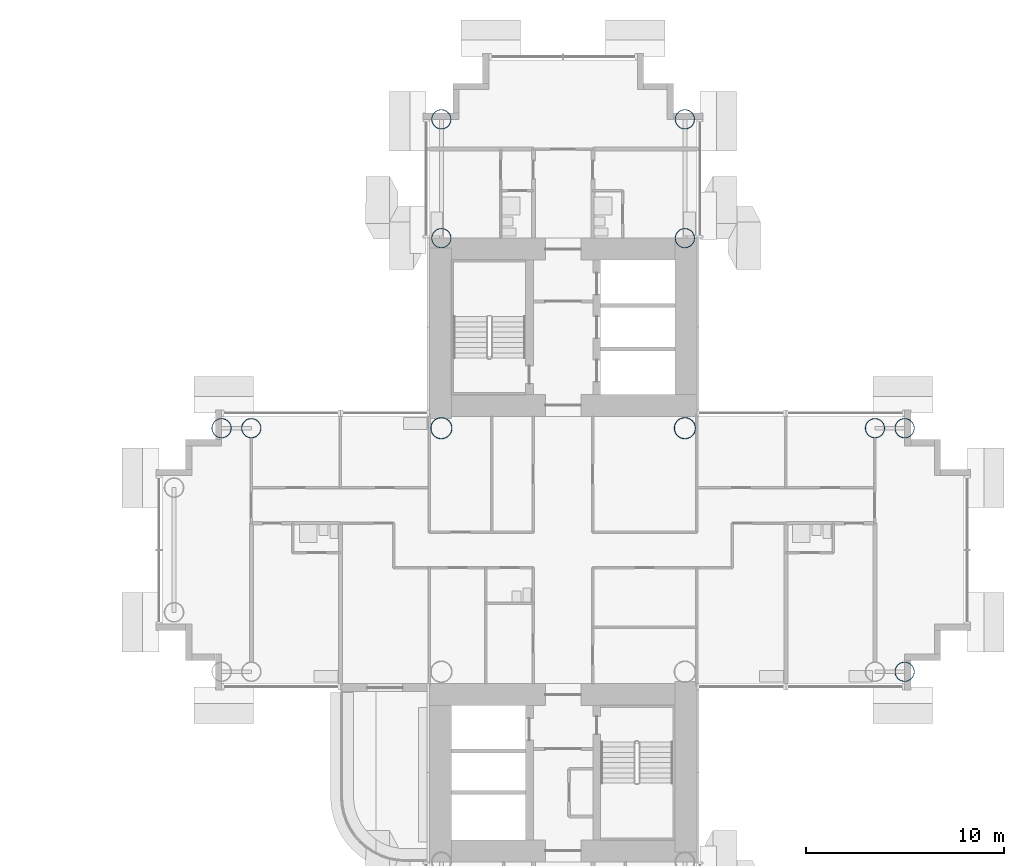
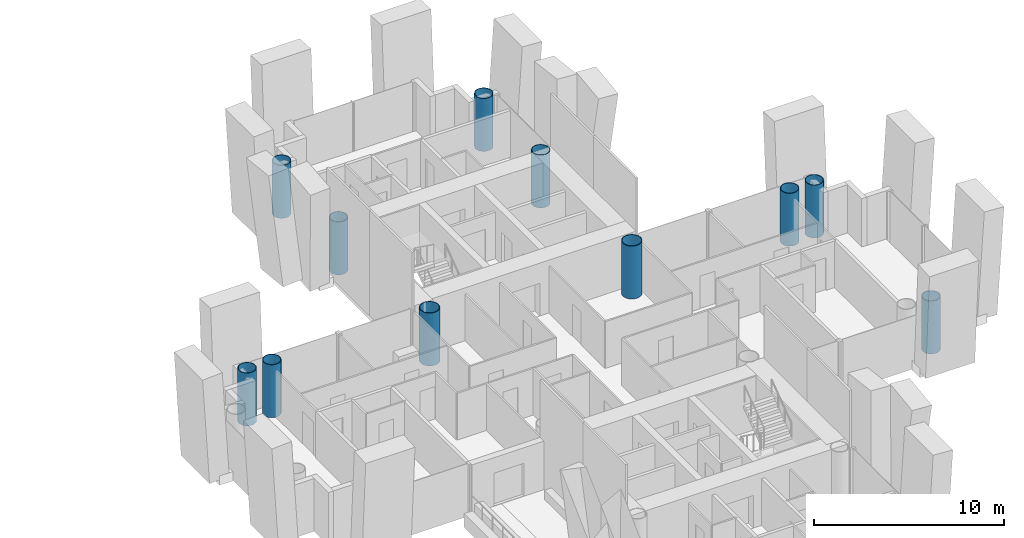
# One storey, part 2 of 23: 11 columns.
"""IFC4 building model written with IfcOpenShell, lengths in metres."""

from ifc_helpers import new_model, si_unit, direction, frame, origin, origin_2d, place, context, subcontext, project, spatial, hollow_circle, extrude, material, material_profile, profile_set, type_object, element, save


model = new_model("IFC4")

# Units and contexts
model_context = context("Model", 3, precision=1e-05, world=origin(), true_north=direction((0.0, 1.0)))
body_context = subcontext(model_context, "Body", "Model", "MODEL_VIEW")
ifc_project = project(units=[si_unit("LENGTHUNIT", "METRE"), si_unit("AREAUNIT", "SQUARE_METRE"), si_unit("VOLUMEUNIT", "CUBIC_METRE"), si_unit("PLANEANGLEUNIT", "RADIAN"), si_unit("MASSUNIT", "GRAM", prefix="KILO")], contexts=[model_context])

# Site, building, storey
site_placement = place(None, origin())
site = spatial("IfcSite", under=ifc_project, at=site_placement, CompositionType="ELEMENT")
building_placement = place(site_placement, origin())
building = spatial("IfcBuilding", under=site, at=building_placement, Name="Ipe Terrace Towers", CompositionType="ELEMENT")
storey_placement = place(building_placement, frame((0.0, 0.0, 51.699951171875)))
storey = spatial("IfcBuildingStorey", under=building, at=storey_placement, Name="L13", CompositionType="ELEMENT", Elevation=51.699951171875)

# Columns
ifc_material_1 = material(Name="Steel S355 tube with Concrete C60/75 fill", Category="concrete")
ifc_material_profile_1 = material_profile(ifc_material_1, hollow_circle(Radius=0.5, WallThickness=0.035888671875, at=origin_2d()), Name="CHS-1000x36")
ifc_profile_set_1 = profile_set([ifc_material_profile_1], Name="Steel S355 tube with Concrete C60/75 fill")
column_type_1 = type_object("IfcColumnType", Name="CH01 COLUMN CHS-1000x36", PredefinedType="COLUMN", material=ifc_profile_set_1)
for number, where, z_axis, x_axis, name in (
    (1, (42.14990234375, 15.75, 0.0), (0.0, 0.0, 1.0), (1.0, 0.0, 0.0), "Column T2-C-A01"),
    (2, (29.85009765625, 15.75, 0.0), (0.0, 0.0, 1.0), (1.0, 0.0, 0.0), "Column T2-C-A02"),
    (3, (42.14990234375, 21.75, 0.0), (0.0, 0.0, 1.0), (1.0, 0.0, 0.0), "Column T2-C-A03"),
    (4, (29.85009765625, 21.75, 0.0), (0.0, 0.0, 1.0), (1.0, 0.0, 0.0), "Column T2-C-A04"),
    (5, (20.25, 6.14990234375, 0.0), (0.0, 0.0, 1.0), (1.0, 0.0, 0.0), "Column T2-C-B03"),
    (6, (18.75, 6.14990234375, 0.0), (0.0, 0.0, 1.0), (1.0, 0.0, 0.0), "Column T2-C-B05"),
    (7, (51.75, 6.14990234375, 0.0), (0.0, 0.0, 1.0), (1.0, 0.0, 0.0), "Column T2-C-D04"),
    (8, (53.25, -6.14990234375, 0.0), (0.0, 0.0, 1.0), (1.0, 0.0, 0.0), "Column T2-C-D05"),
    (9, (53.25, 6.14990234375, 0.0), (0.0, 0.0, 1.0), (1.0, 0.0, 0.0), "Column T2-C-D06"),
):
    element("IfcColumn", number, at=place(storey_placement, frame(where, z_axis=z_axis, x_axis=x_axis)), inside=storey, type_object=column_type_1, Name=name, PredefinedType="COLUMN", context=body_context, shape_type="SweptSolid", body=[
        extrude(hollow_circle(Radius=0.5, WallThickness=0.035888671875, at=origin_2d()), origin(), (0.0, 0.0, 1.0), 3.400146484375),
    ])
ifc_material_2 = material(Name="Steel S355 tube with Concrete C60/75 fill", Category="concrete")
ifc_material_profile_2 = material_profile(ifc_material_2, hollow_circle(Radius=0.550048828125, WallThickness=0.0400390625, at=origin_2d()), Name="CHS-1100x40")
ifc_profile_set_2 = profile_set([ifc_material_profile_2], Name="Steel S355 tube with Concrete C60/75 fill")
column_type_2 = type_object("IfcColumnType", Name="CH02 COLUMN CHS-1100x40", PredefinedType="COLUMN", material=ifc_profile_set_2)
for number, where, z_axis, x_axis, name in (
    (10, (42.14990234375, 6.14990234375, 0.0), (0.0, 0.0, 1.0), (1.0, 0.0, 0.0), "Column T2-C-E02"),
    (11, (29.85009765625, 6.14990234375, 0.0), (0.0, 0.0, 1.0), (1.0, 0.0, 0.0), "Column T2-C-E03"),
):
    element("IfcColumn", number, at=place(storey_placement, frame(where, z_axis=z_axis, x_axis=x_axis)), inside=storey, type_object=column_type_2, Name=name, PredefinedType="COLUMN", context=body_context, shape_type="SweptSolid", body=[
        extrude(hollow_circle(Radius=0.550048828125, WallThickness=0.0400390625, at=origin_2d()), origin(), (0.0, 0.0, 1.0), 3.400146484375),
    ])

save(model, "model.ifc")
